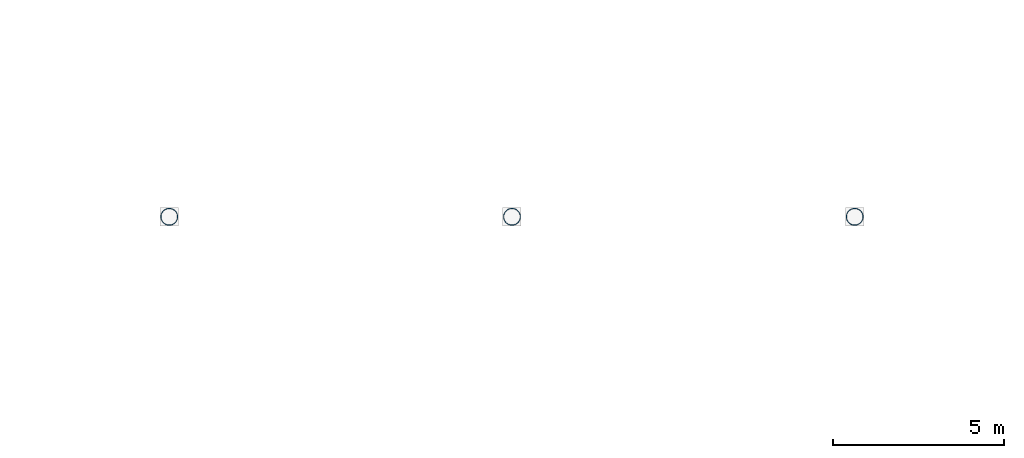
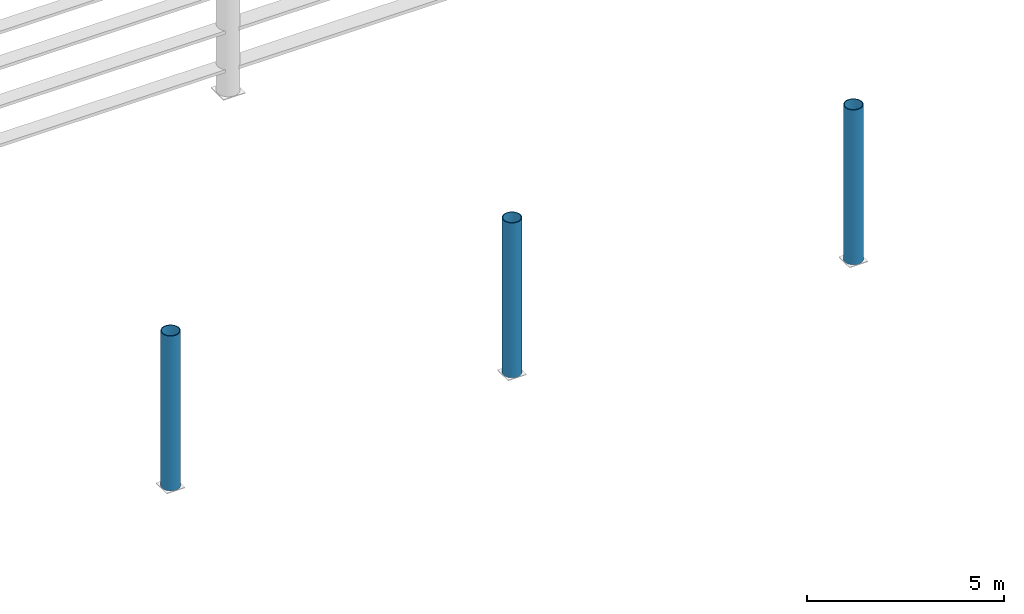
# One storey, part 10 of 29: 3 columns.
"""IFC4 building model written with IfcOpenShell, lengths in metres."""

import ifcopenshell
import ifcopenshell.guid

model = None  # the IFC model being written
_history = None  # IfcOwnerHistory: only IFC2X3 demands one
_inside = {}  # id of a spatial element -> (the spatial element, [elements in it])
_under = {}  # id of a project, library or spatial element -> (it, [spatial elements below it])
_declared = {}  # id of a project -> (the project, [libraries it declares])
_typed = {}  # id of a type object -> (the type object, [elements of that type])
_made_of = {}  # id of a material, layer set ... -> (it, [elements and type objects made of it])


def new_model(schema):
    """Start an empty IFC model of exactly this schema.

    Asked for "IFC4X3", IfcOpenShell would pick the latest addendum, in which some entities
    have other attributes; the version numbers below select the first issue.
    IFC2X3 requires an IfcOwnerHistory on every rooted entity: one is made here for all.
    """
    global model, _history
    if schema == "IFC4X3":
        model = ifcopenshell.file(schema_version=(4, 3, 0, 0))
    else:
        model = ifcopenshell.file(schema=schema)
    _inside.clear()
    _under.clear()
    _declared.clear()
    _typed.clear()
    _made_of.clear()
    _history = None
    if model.schema == "IFC2X3":
        org = make("IfcOrganization", Name="unknown")
        user = make(
            "IfcPersonAndOrganization",
            ThePerson=make("IfcPerson", FamilyName="unknown"),
            TheOrganization=org,
        )
        app = make(
            "IfcApplication",
            ApplicationDeveloper=org,
            Version="unknown",
            ApplicationFullName="unknown",
            ApplicationIdentifier="unknown",
        )
        _history = make(
            "IfcOwnerHistory",
            OwningUser=user,
            OwningApplication=app,
            ChangeAction="ADDED",
            CreationDate=0,
        )
    return model


def make(cls, **values):
    """One entity of the class cls with the attributes given. An attribute that is None is left unset."""
    return model.create_entity(
        cls, **{name: value for name, value in values.items() if value is not None}
    )


def rooted(cls, **values):
    """An entity with a GlobalId (a new one), such as an element, a storey or a relation."""
    return make(cls, GlobalId=ifcopenshell.guid.new(), OwnerHistory=_history, **values)


def si_unit(unit_type, name, prefix=None):
    """IfcSIUnit, for example si_unit("LENGTHUNIT", "METRE", prefix="MILLI")."""
    return make("IfcSIUnit", UnitType=unit_type, Prefix=prefix, Name=name)


def assignment(units):
    """IfcUnitAssignment: the units of a project."""
    return None if units is None else make("IfcUnitAssignment", Units=units)


def point(xyz):
    """IfcCartesianPoint."""
    return None if xyz is None else make("IfcCartesianPoint", Coordinates=xyz)


def direction(xyz):
    """IfcDirection."""
    return None if xyz is None else make("IfcDirection", DirectionRatios=xyz)


def frame(location, z_axis=None, x_axis=None):
    """IfcAxis2Placement3D, a coordinate frame: its origin and axes. An axis left out is left unset."""
    return make(
        "IfcAxis2Placement3D",
        Location=point(location),
        Axis=direction(z_axis),
        RefDirection=direction(x_axis),
    )


def frame_2d(location, x_axis=None):
    """IfcAxis2Placement2D, a coordinate frame in the plane: its origin and x axis."""
    return make(
        "IfcAxis2Placement2D", Location=point(location), RefDirection=direction(x_axis)
    )


def origin():
    """The frame at (0, 0, 0) with its axes left unset."""
    return frame((0.0, 0.0, 0.0))


def origin_2d():
    """The frame at (0, 0) in the plane with its x axis left unset."""
    return frame_2d((0.0, 0.0))


def place(relative_to, where):
    """IfcLocalPlacement: puts the frame where relative to a parent placement (None: the world)."""
    return make(
        "IfcLocalPlacement", PlacementRelTo=relative_to, RelativePlacement=where
    )


def context(
    kind, dimensions, precision=None, world=None, true_north=None, identifier=None
):
    """IfcGeometricRepresentationContext, for example the 3D "Model" context."""
    return make(
        "IfcGeometricRepresentationContext",
        ContextIdentifier=identifier,
        ContextType=kind,
        CoordinateSpaceDimension=dimensions,
        Precision=precision,
        WorldCoordinateSystem=world,
        TrueNorth=true_north,
    )


def subcontext(parent, identifier, kind, view, scale=None):
    """IfcGeometricRepresentationSubContext, for example "Body" below "Model"."""
    return make(
        "IfcGeometricRepresentationSubContext",
        ContextIdentifier=identifier,
        ContextType=kind,
        ParentContext=parent,
        TargetScale=scale,
        TargetView=view,
    )


def project(units=None, contexts=None):
    """IfcProject with its units and contexts."""
    return rooted(
        "IfcProject",
        Name="project",
        RepresentationContexts=contexts,
        UnitsInContext=assignment(units),
    )


def spatial(cls, under=None, at=None, **own):
    """A site, building, storey or space (cls), placed at a placement, below another one or the project."""
    s = rooted(cls, ObjectPlacement=at, **own)
    if under is not None:
        _under.setdefault(under.id(), (under, []))[1].append(s)
    return s


def profile(cls, at=None, kind="AREA", **sizes):
    """A parametric profile (cls). Its sizes go by their IFC names, for example OverallWidth=200.0."""
    return make(cls, ProfileType=kind, Position=at, **sizes)


def hollow_circle(**sizes):
    """IfcCircleHollowProfileDef."""
    return profile("IfcCircleHollowProfileDef", **sizes)


def extrude(swept, where, along, depth):
    """IfcExtrudedAreaSolid: the profile swept, set in the frame where, extruded along a direction by depth."""
    return make(
        "IfcExtrudedAreaSolid",
        SweptArea=swept,
        Position=where,
        ExtrudedDirection=direction(along),
        Depth=depth,
    )


def shape(context_of_items, identifier, shape_type, items):
    """IfcShapeRepresentation: the items that make up one representation, for example the "Body"."""
    return make(
        "IfcShapeRepresentation",
        ContextOfItems=context_of_items,
        RepresentationIdentifier=identifier,
        RepresentationType=shape_type,
        Items=items,
    )


def material(Name=None, Category=None):
    """IfcMaterial."""
    return make("IfcMaterial", Name=Name, Category=Category)


def material_profile(
    of_material, cross_section, Name=None, Category=None, Priority=None
):
    """IfcMaterialProfile: a cross section and its material."""
    return make(
        "IfcMaterialProfile",
        Name=Name,
        Material=of_material,
        Profile=cross_section,
        Priority=Priority,
        Category=Category,
    )


def profile_set(profiles, Name=None, composite=None):
    """IfcMaterialProfileSet."""
    return make(
        "IfcMaterialProfileSet",
        Name=Name,
        MaterialProfiles=profiles,
        CompositeProfile=composite,
    )


def made_of(thing, what):
    """Note that an element or type object is made of a material, layer set ...; save() writes the relation."""
    if what is not None:
        _made_of.setdefault(what.id(), (what, []))[1].append(thing)
    return thing


def type_object(cls, material=None, **own):
    """A type object (cls), such as IfcWallType, which elements share."""
    return made_of(rooted(cls, **own), material)


def element(
    cls,
    number,
    at=None,
    inside=None,
    cuts=None,
    type_object=None,
    material=None,
    context=None,
    identifier="Body",
    shape_type=None,
    held_by="IfcProductDefinitionShape",
    body=None,
    shapes=None,
    **own,
):
    """One element of the class cls, such as IfcWall. Its Tag is "e" and its number.

    at: its placement. inside: the storey or other place that contains it. cuts: it is an
    opening in that element (IfcRelVoidsElement). A single representation is given by context,
    identifier, shape_type and body (its items); several are given by shapes. held_by: the class
    of the entity that holds the representations. save() writes the other relations.
    """
    e = rooted(cls, Tag="e%d" % number, ObjectPlacement=at, **own)
    if body is not None:
        shapes = [shape(context, identifier, shape_type, body)]
    if shapes is not None:
        e.Representation = make(held_by, Representations=shapes)
    if inside is not None:
        _inside.setdefault(inside.id(), (inside, []))[1].append(e)
    if cuts is not None:
        rooted(
            "IfcRelVoidsElement", RelatingBuildingElement=cuts, RelatedOpeningElement=e
        )
    if type_object is not None:
        _typed.setdefault(type_object.id(), (type_object, []))[1].append(e)
    return made_of(e, material)


def aggregate(whole, parts):
    """IfcRelAggregates: a whole, such as a stair, and the parts it consists of."""
    return rooted("IfcRelAggregates", RelatingObject=whole, RelatedObjects=parts)


def save(model, path):
    """Write the relations noted so far, then the file.

    IfcRelAggregates (storeys below a building ...), IfcRelContainedInSpatialStructure (elements
    in a storey), IfcRelDefinesByType, IfcRelAssociatesMaterial and IfcRelDeclares: one each for
    every whole, place, type object, material and project.
    """
    for whole, parts in _under.values():
        aggregate(whole, parts)
    for where, things in _inside.values():
        rooted(
            "IfcRelContainedInSpatialStructure",
            RelatedElements=things,
            RelatingStructure=where,
        )
    for kind, things in _typed.values():
        rooted("IfcRelDefinesByType", RelatedObjects=things, RelatingType=kind)
    for what, things in _made_of.values():
        rooted("IfcRelAssociatesMaterial", RelatedObjects=things, RelatingMaterial=what)
    for by, libraries in _declared.values():
        rooted("IfcRelDeclares", RelatingContext=by, RelatedDefinitions=libraries)
    model.write(path)


model = new_model("IFC4")

# Units and contexts
model_context = context("Model", 3, precision=1e-05, world=origin(), true_north=direction((0.0, 1.0)))
body_context = subcontext(model_context, "Body", "Model", "MODEL_VIEW")
ifc_project = project(units=[si_unit("LENGTHUNIT", "METRE"), si_unit("AREAUNIT", "SQUARE_METRE"), si_unit("VOLUMEUNIT", "CUBIC_METRE"), si_unit("PLANEANGLEUNIT", "RADIAN"), si_unit("MASSUNIT", "GRAM", prefix="KILO")], contexts=[model_context])

# Site, building, storey
site_placement = place(None, origin())
site = spatial("IfcSite", under=ifc_project, at=site_placement, CompositionType="ELEMENT")
building_placement = place(site_placement, origin())
building = spatial("IfcBuilding", under=site, at=building_placement, Name="Candeia Ridge Stadium", CompositionType="ELEMENT")
storey_placement = place(building_placement, frame((0.0, 0.0, 27.0)))
storey = spatial("IfcBuildingStorey", under=building, at=storey_placement, Name="L05", CompositionType="ELEMENT", Elevation=27.0)

# Columns
ifc_material = material(Name="Steel ASTM A572 Grade 50", Category="steel")
ifc_material_profile = material_profile(ifc_material, hollow_circle(Radius=0.25390625, WallThickness=0.02197265625, at=origin_2d()), Name="CHS508x22", Category="steel")
ifc_profile_set = profile_set([ifc_material_profile], Name="Steel ASTM A572 Grade 50")
column_type = type_object("IfcColumnType", Name="Roof Inner Mast CHS508x22", PredefinedType="PILASTER", material=ifc_profile_set)
for number, where, z_axis, x_axis, name in (
    (1, (121.0, 132.60009765625, 0.0), (0.0, 0.0, 1.0), (1.0, 0.0, 0.0), "Roof truss steel mast column BC-MD-02 L05"),
    (2, (111.0, 132.60009765625, 0.0), (0.0, 0.0, 1.0), (1.0, 0.0, 0.0), "Roof truss steel mast column BC-MD-03 L05"),
    (3, (101.0, 132.60009765625, 0.0), (0.0, 0.0, 1.0), (1.0, 0.0, 0.0), "Roof truss steel mast column BC-MD-04 L05"),
):
    element("IfcColumn", number, at=place(storey_placement, frame(where, z_axis=z_axis, x_axis=x_axis)), inside=storey, type_object=column_type, Name=name, PredefinedType="PILASTER", context=body_context, shape_type="SweptSolid", body=[
        extrude(hollow_circle(Radius=0.25390625, WallThickness=0.02197265625, at=origin_2d()), origin(), (0.0, 0.0, 1.0), 4.800048828125),
    ])

save(model, "model.ifc")
